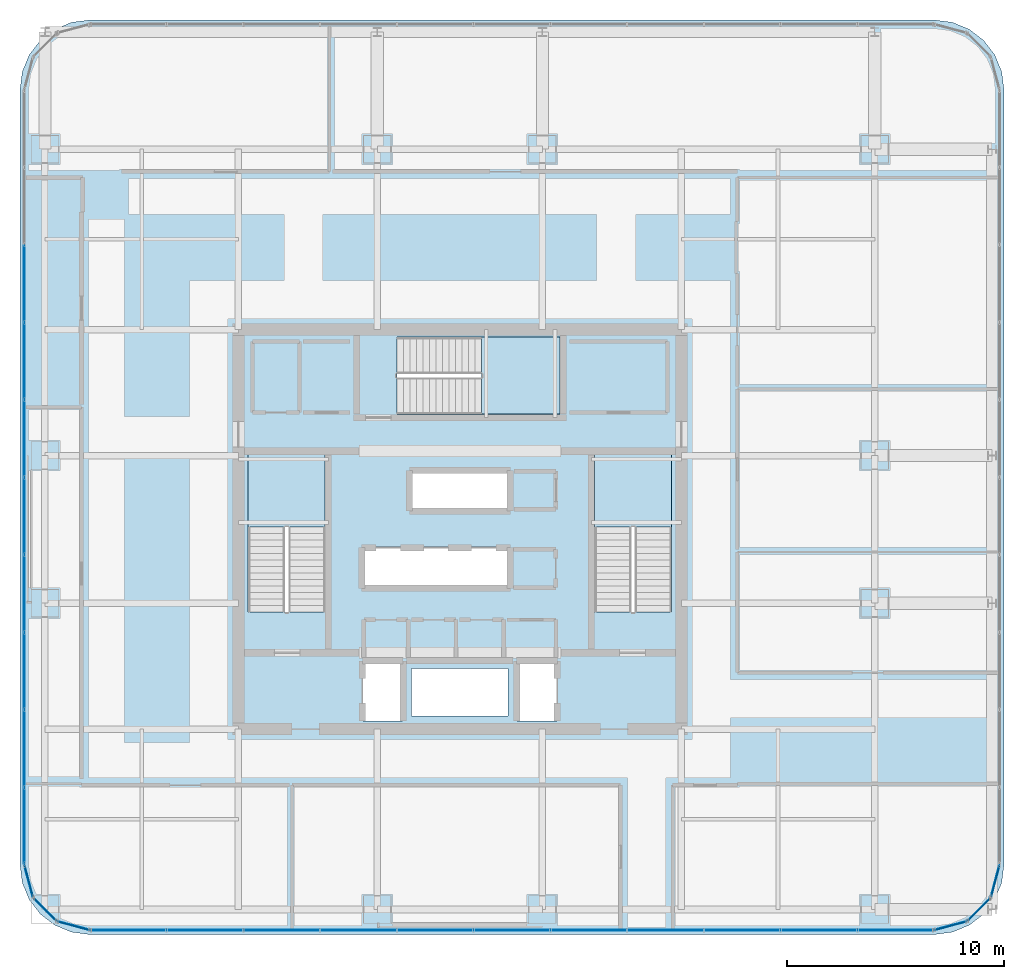
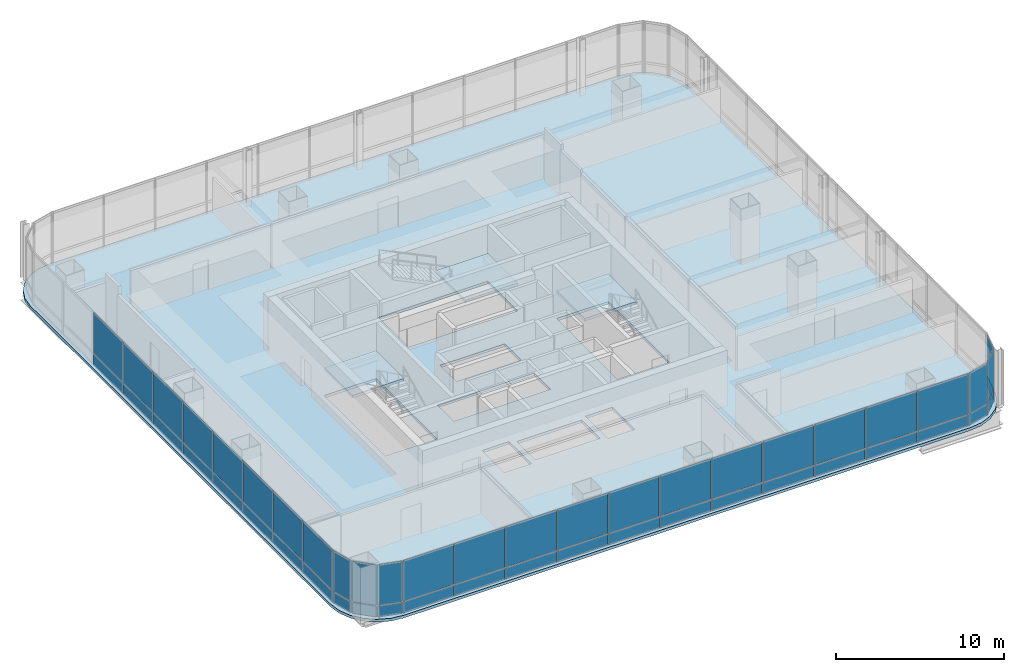
# One storey, part 31 of 42: 50 plates, 4 slabs, 11 elements without a shape of their own.
"""IFC4 building model written with IfcOpenShell, lengths in metres."""

from ifc_helpers import new_model, si_unit, direction, frame, origin, origin_2d, place, context, subcontext, project, spatial, polyline, rectangle, outline, extrude, material, layer, layer_set, type_object, element, aggregate, save


model = new_model("IFC4")

# Units and contexts
model_context = context("Model", 3, precision=1e-05, world=origin(), true_north=direction((0.0, 1.0)))
body_context = subcontext(model_context, "Body", "Model", "MODEL_VIEW")
ifc_project = project(units=[si_unit("LENGTHUNIT", "METRE"), si_unit("AREAUNIT", "SQUARE_METRE"), si_unit("VOLUMEUNIT", "CUBIC_METRE"), si_unit("PLANEANGLEUNIT", "RADIAN"), si_unit("MASSUNIT", "GRAM", prefix="KILO")], contexts=[model_context])

# Site, building, storey
site_placement = place(None, origin())
site = spatial("IfcSite", under=ifc_project, at=site_placement, CompositionType="ELEMENT")
building_placement = place(site_placement, origin())
building = spatial("IfcBuilding", under=site, at=building_placement, Name="Punatoya Terracotta Tower", CompositionType="ELEMENT")
storey_placement = place(building_placement, frame((0.0, 0.0, 255.449951171875)))
storey = spatial("IfcBuildingStorey", under=building, at=storey_placement, Name="L60", CompositionType="ELEMENT", Elevation=255.449951171875)

# Curtain wall, plates
ifc_material_1 = material(Name="Aluminium 6063-T6 + Double Low-E Glass", Category="aluminium")
curtain_wall_type = type_object("IfcCurtainWallType", Name="CW-M3", PredefinedType="NOTDEFINED", material=ifc_material_1)
curtain_wall_1_placement = place(storey_placement, origin())
curtain_wall_1 = element("IfcCurtainWall", 1, at=curtain_wall_1_placement, inside=storey, type_object=curtain_wall_type, Name="L60 Curtain Wall CW-L60-S01-1", PredefinedType="NOTDEFINED")
ifc_material_2 = material(Name="Double Low-E Acoustic Vision Glass", Category="glass")
ifc_layer_1 = layer(ifc_material_2, 0.031982421875)
ifc_layer_set_1 = layer_set([ifc_layer_1], Name="Double Low-E Acoustic Vision Glass")
plate_type_1 = type_object("IfcPlateType", Name="PLT-GLZ-32", PredefinedType="CURTAIN_PANEL", material=ifc_layer_set_1)
plate_1_placement = place(storey_placement, frame((-15.27001953125, -18.449951171875, 0.89013671875), z_axis=(0.0, 0.0, 1.0), x_axis=(1.0, 0.0, 0.0)))
plate_1 = element("IfcPlate", 2, at=plate_1_placement, type_object=plate_type_1, Name="CW-L60-S01-1 Vision Glass Panel 1", PredefinedType="CURTAIN_PANEL", context=body_context, shape_type="SweptSolid", body=[
    extrude(rectangle(XDim=3.448974609375, YDim=0.031982421875, at=origin_2d()), origin(), (0.0, 0.0, 1.0), 2.919921875),
])
plate_2_placement = place(storey_placement, frame((-11.73583984375, -18.449951171875, 0.89013671875), z_axis=(0.0, 0.0, 1.0), x_axis=(1.0, 0.0, 0.0)))
plate_2 = element("IfcPlate", 3, at=plate_2_placement, type_object=plate_type_1, Name="CW-L60-S01-1 Vision Glass Panel 2", PredefinedType="CURTAIN_PANEL", context=body_context, shape_type="SweptSolid", body=[
    extrude(rectangle(XDim=3.448974609375, YDim=0.031982421875, at=origin_2d()), origin(), (0.0, 0.0, 1.0), 2.919921875),
])
plate_3_placement = place(storey_placement, frame((-8.201904296875, -18.449951171875, 0.89013671875), z_axis=(0.0, 0.0, 1.0), x_axis=(1.0, 0.0, 0.0)))
plate_3 = element("IfcPlate", 4, at=plate_3_placement, type_object=plate_type_1, Name="CW-L60-S01-1 Vision Glass Panel 3", PredefinedType="CURTAIN_PANEL", context=body_context, shape_type="SweptSolid", body=[
    extrude(rectangle(XDim=3.448974609375, YDim=0.031982421875, at=origin_2d()), origin(), (0.0, 0.0, 1.0), 2.919921875),
])
plate_4_placement = place(storey_placement, frame((-4.66796875, -18.449951171875, 0.89013671875), z_axis=(0.0, 0.0, 1.0), x_axis=(1.0, 0.0, 0.0)))
plate_4 = element("IfcPlate", 5, at=plate_4_placement, type_object=plate_type_1, Name="CW-L60-S01-1 Vision Glass Panel 4", PredefinedType="CURTAIN_PANEL", context=body_context, shape_type="SweptSolid", body=[
    extrude(rectangle(XDim=3.448974609375, YDim=0.031982421875, at=origin_2d()), origin(), (0.0, 0.0, 1.0), 2.919921875),
])
plate_5_placement = place(storey_placement, frame((-1.134033203125, -18.449951171875, 0.89013671875), z_axis=(0.0, 0.0, 1.0), x_axis=(1.0, 0.0, 0.0)))
plate_5 = element("IfcPlate", 6, at=plate_5_placement, type_object=plate_type_1, Name="CW-L60-S01-1 Vision Glass Panel 5", PredefinedType="CURTAIN_PANEL", context=body_context, shape_type="SweptSolid", body=[
    extrude(rectangle(XDim=3.448974609375, YDim=0.031982421875, at=origin_2d()), origin(), (0.0, 0.0, 1.0), 2.919921875),
])
plate_6_placement = place(storey_placement, frame((2.39990234375, -18.449951171875, 0.89013671875), z_axis=(0.0, 0.0, 1.0), x_axis=(1.0, 0.0, 0.0)))
plate_6 = element("IfcPlate", 7, at=plate_6_placement, type_object=plate_type_1, Name="CW-L60-S01-1 Vision Glass Panel 6", PredefinedType="CURTAIN_PANEL", context=body_context, shape_type="SweptSolid", body=[
    extrude(rectangle(XDim=3.448974609375, YDim=0.031982421875, at=origin_2d()), origin(), (0.0, 0.0, 1.0), 2.919921875),
])
plate_7_placement = place(storey_placement, frame((5.93408203125, -18.449951171875, 0.89013671875), z_axis=(0.0, 0.0, 1.0), x_axis=(1.0, 0.0, 0.0)))
plate_7 = element("IfcPlate", 8, at=plate_7_placement, type_object=plate_type_1, Name="CW-L60-S01-1 Vision Glass Panel 7", PredefinedType="CURTAIN_PANEL", context=body_context, shape_type="SweptSolid", body=[
    extrude(rectangle(XDim=3.448974609375, YDim=0.031982421875, at=origin_2d()), origin(), (0.0, 0.0, 1.0), 2.919921875),
])
plate_8_placement = place(storey_placement, frame((9.468017578125, -18.449951171875, 0.89013671875), z_axis=(0.0, 0.0, 1.0), x_axis=(1.0, 0.0, 0.0)))
plate_8 = element("IfcPlate", 9, at=plate_8_placement, type_object=plate_type_1, Name="CW-L60-S01-1 Vision Glass Panel 8", PredefinedType="CURTAIN_PANEL", context=body_context, shape_type="SweptSolid", body=[
    extrude(rectangle(XDim=3.448974609375, YDim=0.031982421875, at=origin_2d()), origin(), (0.0, 0.0, 1.0), 2.919921875),
])
plate_9_placement = place(storey_placement, frame((13.001953125, -18.449951171875, 0.89013671875), z_axis=(0.0, 0.0, 1.0), x_axis=(1.0, 0.0, 0.0)))
plate_9 = element("IfcPlate", 10, at=plate_9_placement, type_object=plate_type_1, Name="CW-L60-S01-1 Vision Glass Panel 9", PredefinedType="CURTAIN_PANEL", context=body_context, shape_type="SweptSolid", body=[
    extrude(rectangle(XDim=3.448974609375, YDim=0.031982421875, at=origin_2d()), origin(), (0.0, 0.0, 1.0), 2.919921875),
])
plate_10_placement = place(storey_placement, frame((16.535888671875, -18.449951171875, 0.89013671875), z_axis=(0.0, 0.0, 1.0), x_axis=(1.0, 0.0, 0.0)))
plate_10 = element("IfcPlate", 11, at=plate_10_placement, type_object=plate_type_1, Name="CW-L60-S01-1 Vision Glass Panel 10", PredefinedType="CURTAIN_PANEL", context=body_context, shape_type="SweptSolid", body=[
    extrude(rectangle(XDim=3.448974609375, YDim=0.031982421875, at=origin_2d()), origin(), (0.0, 0.0, 1.0), 2.919921875),
])
plate_11_placement = place(storey_placement, frame((20.06982421875, -18.449951171875, 0.89013671875), z_axis=(0.0, 0.0, 1.0), x_axis=(1.0, 0.0, 0.0)))
plate_11 = element("IfcPlate", 12, at=plate_11_placement, type_object=plate_type_1, Name="CW-L60-S01-1 Vision Glass Panel 11", PredefinedType="CURTAIN_PANEL", context=body_context, shape_type="SweptSolid", body=[
    extrude(rectangle(XDim=3.448974609375, YDim=0.031982421875, at=origin_2d()), origin(), (0.0, 0.0, 1.0), 2.919921875),
])

# Curtain wall, plate
curtain_wall_2_placement = place(storey_placement, origin())
curtain_wall_2 = element("IfcCurtainWall", 13, at=curtain_wall_2_placement, inside=storey, type_object=curtain_wall_type, Name="L60 Curtain Wall CW-L60-CRN02", PredefinedType="NOTDEFINED")
plate_12_placement = place(storey_placement, frame((22.593017578125, -18.248291015625, 0.89013671875), z_axis=(0.0, 0.0, 1.0), x_axis=(0.966213877436, 0.257741620719, 0.0)))
plate_12 = element("IfcPlate", 14, at=plate_12_placement, type_object=plate_type_1, Name="CW-L60-CRN02 Vision Glass Panel 1", PredefinedType="CURTAIN_PANEL", context=body_context, shape_type="SweptSolid", body=[
    extrude(rectangle(XDim=1.47998046875, YDim=0.031982421875, at=origin_2d()), origin(), (0.0, 0.0, 1.0), 2.919921875),
])

curtain_wall_3_placement = place(storey_placement, origin())
curtain_wall_3 = element("IfcCurtainWall", 15, at=curtain_wall_3_placement, inside=storey, type_object=curtain_wall_type, Name="L60 Curtain Wall CW-L60-CRN03", PredefinedType="NOTDEFINED")
plate_13_placement = place(storey_placement, frame((23.89794921875, -17.497802734375, 0.89013671875), z_axis=(0.0, 0.0, 1.0), x_axis=(0.707106781187, 0.707106781187, 0.0)))
plate_13 = element("IfcPlate", 16, at=plate_13_placement, type_object=plate_type_1, Name="CW-L60-CRN03 Vision Glass Panel 1", PredefinedType="CURTAIN_PANEL", context=body_context, shape_type="SweptSolid", body=[
    extrude(rectangle(XDim=1.467041015625, YDim=0.031982421875, at=origin_2d()), origin(), (0.0, 0.0, 1.0), 2.919921875),
])

curtain_wall_4_placement = place(storey_placement, origin())
curtain_wall_4 = element("IfcCurtainWall", 17, at=curtain_wall_4_placement, inside=storey, type_object=curtain_wall_type, Name="L60 Curtain Wall CW-L60-CRN04", PredefinedType="NOTDEFINED")
plate_14_placement = place(storey_placement, frame((24.648193359375, -16.193115234375, 0.89013671875), z_axis=(0.0, 0.0, 1.0), x_axis=(0.257741620719, 0.966213877436, 0.0)))
plate_14 = element("IfcPlate", 18, at=plate_14_placement, type_object=plate_type_1, Name="CW-L60-CRN04 Vision Glass Panel 1", PredefinedType="CURTAIN_PANEL", context=body_context, shape_type="SweptSolid", body=[
    extrude(rectangle(XDim=1.47998046875, YDim=0.031982421875, at=origin_2d()), origin(), (0.0, 0.0, 1.0), 2.919921875),
])

# Curtain wall, plates
curtain_wall_5_placement = place(storey_placement, origin())
curtain_wall_5 = element("IfcCurtainWall", 19, at=curtain_wall_5_placement, inside=storey, type_object=curtain_wall_type, Name="L60 Curtain Wall CW-L60-W13-1", PredefinedType="NOTDEFINED")
plate_15_placement = place(storey_placement, frame((-20.050048828125, 11.318359375, 0.89013671875), z_axis=(0.0, 0.0, 1.0), x_axis=(0.0, -1.0, 0.0)))
plate_15 = element("IfcPlate", 20, at=plate_15_placement, type_object=plate_type_1, Name="CW-L60-W13-1 Vision Glass Panel 3", PredefinedType="CURTAIN_PANEL", context=body_context, shape_type="SweptSolid", body=[
    extrude(rectangle(XDim=3.482421875, YDim=0.031982421875, at=origin_2d()), origin(), (0.0, 0.0, 1.0), 2.919921875),
])
plate_16_placement = place(storey_placement, frame((-20.050048828125, 7.751220703125, 0.89013671875), z_axis=(0.0, 0.0, 1.0), x_axis=(0.0, -1.0, 0.0)))
plate_16 = element("IfcPlate", 21, at=plate_16_placement, type_object=plate_type_1, Name="CW-L60-W13-1 Vision Glass Panel 4", PredefinedType="CURTAIN_PANEL", context=body_context, shape_type="SweptSolid", body=[
    extrude(rectangle(XDim=3.482421875, YDim=0.031982421875, at=origin_2d()), origin(), (0.0, 0.0, 1.0), 2.919921875),
])
plate_17_placement = place(storey_placement, frame((-20.050048828125, 4.18359375, 0.89013671875), z_axis=(0.0, 0.0, 1.0), x_axis=(0.0, -1.0, 0.0)))
plate_17 = element("IfcPlate", 22, at=plate_17_placement, type_object=plate_type_1, Name="CW-L60-W13-1 Vision Glass Panel 5", PredefinedType="CURTAIN_PANEL", context=body_context, shape_type="SweptSolid", body=[
    extrude(rectangle(XDim=3.482421875, YDim=0.031982421875, at=origin_2d()), origin(), (0.0, 0.0, 1.0), 2.919921875),
])
plate_18_placement = place(storey_placement, frame((-20.050048828125, 0.6162109375, 0.89013671875), z_axis=(0.0, 0.0, 1.0), x_axis=(0.0, -1.0, 0.0)))
plate_18 = element("IfcPlate", 23, at=plate_18_placement, type_object=plate_type_1, Name="CW-L60-W13-1 Vision Glass Panel 6", PredefinedType="CURTAIN_PANEL", context=body_context, shape_type="SweptSolid", body=[
    extrude(rectangle(XDim=3.482421875, YDim=0.031982421875, at=origin_2d()), origin(), (0.0, 0.0, 1.0), 2.919921875),
])
plate_19_placement = place(storey_placement, frame((-20.050048828125, -2.951171875, 0.89013671875), z_axis=(0.0, 0.0, 1.0), x_axis=(0.0, -1.0, 0.0)))
plate_19 = element("IfcPlate", 24, at=plate_19_placement, type_object=plate_type_1, Name="CW-L60-W13-1 Vision Glass Panel 7", PredefinedType="CURTAIN_PANEL", context=body_context, shape_type="SweptSolid", body=[
    extrude(rectangle(XDim=3.482421875, YDim=0.031982421875, at=origin_2d()), origin(), (0.0, 0.0, 1.0), 2.919921875),
])
plate_20_placement = place(storey_placement, frame((-20.050048828125, -6.518310546875, 0.89013671875), z_axis=(0.0, 0.0, 1.0), x_axis=(0.0, -1.0, 0.0)))
plate_20 = element("IfcPlate", 25, at=plate_20_placement, type_object=plate_type_1, Name="CW-L60-W13-1 Vision Glass Panel 8", PredefinedType="CURTAIN_PANEL", context=body_context, shape_type="SweptSolid", body=[
    extrude(rectangle(XDim=3.482421875, YDim=0.031982421875, at=origin_2d()), origin(), (0.0, 0.0, 1.0), 2.919921875),
])
plate_21_placement = place(storey_placement, frame((-20.050048828125, -10.085693359375, 0.89013671875), z_axis=(0.0, 0.0, 1.0), x_axis=(0.0, -1.0, 0.0)))
plate_21 = element("IfcPlate", 26, at=plate_21_placement, type_object=plate_type_1, Name="CW-L60-W13-1 Vision Glass Panel 9", PredefinedType="CURTAIN_PANEL", context=body_context, shape_type="SweptSolid", body=[
    extrude(rectangle(XDim=3.482421875, YDim=0.031982421875, at=origin_2d()), origin(), (0.0, 0.0, 1.0), 2.919921875),
])
plate_22_placement = place(storey_placement, frame((-20.050048828125, -13.6533203125, 0.89013671875), z_axis=(0.0, 0.0, 1.0), x_axis=(0.0, -1.0, 0.0)))
plate_22 = element("IfcPlate", 27, at=plate_22_placement, type_object=plate_type_1, Name="CW-L60-W13-1 Vision Glass Panel 10", PredefinedType="CURTAIN_PANEL", context=body_context, shape_type="SweptSolid", body=[
    extrude(rectangle(XDim=3.482421875, YDim=0.031982421875, at=origin_2d()), origin(), (0.0, 0.0, 1.0), 2.919921875),
])

# Curtain wall, plate
curtain_wall_6_placement = place(storey_placement, origin())
curtain_wall_6 = element("IfcCurtainWall", 28, at=curtain_wall_6_placement, inside=storey, type_object=curtain_wall_type, Name="L60 Curtain Wall CW-L60-CRN14", PredefinedType="NOTDEFINED")
plate_23_placement = place(storey_placement, frame((-19.848388671875, -16.193115234375, 0.89013671875), z_axis=(0.0, 0.0, 1.0), x_axis=(0.257741620719, -0.966213877436, 0.0)))
plate_23 = element("IfcPlate", 29, at=plate_23_placement, type_object=plate_type_1, Name="CW-L60-CRN14 Vision Glass Panel 1", PredefinedType="CURTAIN_PANEL", context=body_context, shape_type="SweptSolid", body=[
    extrude(rectangle(XDim=1.47998046875, YDim=0.031982421875, at=origin_2d()), origin(), (0.0, 0.0, 1.0), 2.919921875),
])

curtain_wall_7_placement = place(storey_placement, origin())
curtain_wall_7 = element("IfcCurtainWall", 30, at=curtain_wall_7_placement, inside=storey, type_object=curtain_wall_type, Name="L60 Curtain Wall CW-L60-CRN15", PredefinedType="NOTDEFINED")
plate_24_placement = place(storey_placement, frame((-19.097900390625, -17.497802734375, 0.89013671875), z_axis=(0.0, 0.0, 1.0), x_axis=(0.707106781187, -0.707106781187, 0.0)))
plate_24 = element("IfcPlate", 31, at=plate_24_placement, type_object=plate_type_1, Name="CW-L60-CRN15 Vision Glass Panel 1", PredefinedType="CURTAIN_PANEL", context=body_context, shape_type="SweptSolid", body=[
    extrude(rectangle(XDim=1.467041015625, YDim=0.031982421875, at=origin_2d()), origin(), (0.0, 0.0, 1.0), 2.919921875),
])

curtain_wall_8_placement = place(storey_placement, origin())
curtain_wall_8 = element("IfcCurtainWall", 32, at=curtain_wall_8_placement, inside=storey, type_object=curtain_wall_type, Name="L60 Curtain Wall CW-L60-CRN16", PredefinedType="NOTDEFINED")
plate_25_placement = place(storey_placement, frame((-17.79296875, -18.248291015625, 0.89013671875), z_axis=(0.0, 0.0, 1.0), x_axis=(0.966213877436, -0.257741620719, 0.0)))
plate_25 = element("IfcPlate", 33, at=plate_25_placement, type_object=plate_type_1, Name="CW-L60-CRN16 Vision Glass Panel 1", PredefinedType="CURTAIN_PANEL", context=body_context, shape_type="SweptSolid", body=[
    extrude(rectangle(XDim=1.47998046875, YDim=0.031982421875, at=origin_2d()), origin(), (0.0, 0.0, 1.0), 2.919921875),
])

# Plate
ifc_material_3 = material(Name="Insulated Terracotta-Backed Spandrel Panel", Category="masonry")
ifc_layer_2 = layer(ifc_material_3, 0.044921875)
ifc_layer_set_2 = layer_set([ifc_layer_2], Name="Insulated Terracotta-Backed Spandrel Panel")
plate_type_2 = type_object("IfcPlateType", Name="PLT-SPN-45", PredefinedType="CURTAIN_PANEL", material=ifc_layer_set_2)
plate_26_placement = place(storey_placement, frame((-15.27001953125, -18.449951171875, 0.0400390625), z_axis=(0.0, 0.0, 1.0), x_axis=(1.0, 0.0, 0.0)))
plate_26 = element("IfcPlate", 34, at=plate_26_placement, type_object=plate_type_2, Name="CW-L60-S01-1 Terracotta Spandrel Panel 1", PredefinedType="CURTAIN_PANEL", context=body_context, shape_type="SweptSolid", body=[
    extrude(rectangle(XDim=3.448974609375, YDim=0.044921875, at=origin_2d()), origin(), (0.0, 0.0, 1.0), 0.77490234375),
])

plate_27_placement = place(storey_placement, frame((-11.73583984375, -18.449951171875, 0.0400390625), z_axis=(0.0, 0.0, 1.0), x_axis=(1.0, 0.0, 0.0)))
plate_27 = element("IfcPlate", 35, at=plate_27_placement, type_object=plate_type_2, Name="CW-L60-S01-1 Terracotta Spandrel Panel 2", PredefinedType="CURTAIN_PANEL", context=body_context, shape_type="SweptSolid", body=[
    extrude(rectangle(XDim=3.448974609375, YDim=0.044921875, at=origin_2d()), origin(), (0.0, 0.0, 1.0), 0.77490234375),
])

plate_28_placement = place(storey_placement, frame((-8.201904296875, -18.449951171875, 0.0400390625), z_axis=(0.0, 0.0, 1.0), x_axis=(1.0, 0.0, 0.0)))
plate_28 = element("IfcPlate", 36, at=plate_28_placement, type_object=plate_type_2, Name="CW-L60-S01-1 Terracotta Spandrel Panel 3", PredefinedType="CURTAIN_PANEL", context=body_context, shape_type="SweptSolid", body=[
    extrude(rectangle(XDim=3.448974609375, YDim=0.044921875, at=origin_2d()), origin(), (0.0, 0.0, 1.0), 0.77490234375),
])

plate_29_placement = place(storey_placement, frame((-4.66796875, -18.449951171875, 0.0400390625), z_axis=(0.0, 0.0, 1.0), x_axis=(1.0, 0.0, 0.0)))
plate_29 = element("IfcPlate", 37, at=plate_29_placement, type_object=plate_type_2, Name="CW-L60-S01-1 Terracotta Spandrel Panel 4", PredefinedType="CURTAIN_PANEL", context=body_context, shape_type="SweptSolid", body=[
    extrude(rectangle(XDim=3.448974609375, YDim=0.044921875, at=origin_2d()), origin(), (0.0, 0.0, 1.0), 0.77490234375),
])

plate_30_placement = place(storey_placement, frame((-1.134033203125, -18.449951171875, 0.0400390625), z_axis=(0.0, 0.0, 1.0), x_axis=(1.0, 0.0, 0.0)))
plate_30 = element("IfcPlate", 38, at=plate_30_placement, type_object=plate_type_2, Name="CW-L60-S01-1 Terracotta Spandrel Panel 5", PredefinedType="CURTAIN_PANEL", context=body_context, shape_type="SweptSolid", body=[
    extrude(rectangle(XDim=3.448974609375, YDim=0.044921875, at=origin_2d()), origin(), (0.0, 0.0, 1.0), 0.77490234375),
])

plate_31_placement = place(storey_placement, frame((2.39990234375, -18.449951171875, 0.0400390625), z_axis=(0.0, 0.0, 1.0), x_axis=(1.0, 0.0, 0.0)))
plate_31 = element("IfcPlate", 39, at=plate_31_placement, type_object=plate_type_2, Name="CW-L60-S01-1 Terracotta Spandrel Panel 6", PredefinedType="CURTAIN_PANEL", context=body_context, shape_type="SweptSolid", body=[
    extrude(rectangle(XDim=3.448974609375, YDim=0.044921875, at=origin_2d()), origin(), (0.0, 0.0, 1.0), 0.77490234375),
])

plate_32_placement = place(storey_placement, frame((5.93408203125, -18.449951171875, 0.0400390625), z_axis=(0.0, 0.0, 1.0), x_axis=(1.0, 0.0, 0.0)))
plate_32 = element("IfcPlate", 40, at=plate_32_placement, type_object=plate_type_2, Name="CW-L60-S01-1 Terracotta Spandrel Panel 7", PredefinedType="CURTAIN_PANEL", context=body_context, shape_type="SweptSolid", body=[
    extrude(rectangle(XDim=3.448974609375, YDim=0.044921875, at=origin_2d()), origin(), (0.0, 0.0, 1.0), 0.77490234375),
])

plate_33_placement = place(storey_placement, frame((9.468017578125, -18.449951171875, 0.0400390625), z_axis=(0.0, 0.0, 1.0), x_axis=(1.0, 0.0, 0.0)))
plate_33 = element("IfcPlate", 41, at=plate_33_placement, type_object=plate_type_2, Name="CW-L60-S01-1 Terracotta Spandrel Panel 8", PredefinedType="CURTAIN_PANEL", context=body_context, shape_type="SweptSolid", body=[
    extrude(rectangle(XDim=3.448974609375, YDim=0.044921875, at=origin_2d()), origin(), (0.0, 0.0, 1.0), 0.77490234375),
])

plate_34_placement = place(storey_placement, frame((13.001953125, -18.449951171875, 0.0400390625), z_axis=(0.0, 0.0, 1.0), x_axis=(1.0, 0.0, 0.0)))
plate_34 = element("IfcPlate", 42, at=plate_34_placement, type_object=plate_type_2, Name="CW-L60-S01-1 Terracotta Spandrel Panel 9", PredefinedType="CURTAIN_PANEL", context=body_context, shape_type="SweptSolid", body=[
    extrude(rectangle(XDim=3.448974609375, YDim=0.044921875, at=origin_2d()), origin(), (0.0, 0.0, 1.0), 0.77490234375),
])

plate_35_placement = place(storey_placement, frame((16.535888671875, -18.449951171875, 0.0400390625), z_axis=(0.0, 0.0, 1.0), x_axis=(1.0, 0.0, 0.0)))
plate_35 = element("IfcPlate", 43, at=plate_35_placement, type_object=plate_type_2, Name="CW-L60-S01-1 Terracotta Spandrel Panel 10", PredefinedType="CURTAIN_PANEL", context=body_context, shape_type="SweptSolid", body=[
    extrude(rectangle(XDim=3.448974609375, YDim=0.044921875, at=origin_2d()), origin(), (0.0, 0.0, 1.0), 0.77490234375),
])

plate_36_placement = place(storey_placement, frame((20.06982421875, -18.449951171875, 0.0400390625), z_axis=(0.0, 0.0, 1.0), x_axis=(1.0, 0.0, 0.0)))
plate_36 = element("IfcPlate", 44, at=plate_36_placement, type_object=plate_type_2, Name="CW-L60-S01-1 Terracotta Spandrel Panel 11", PredefinedType="CURTAIN_PANEL", context=body_context, shape_type="SweptSolid", body=[
    extrude(rectangle(XDim=3.448974609375, YDim=0.044921875, at=origin_2d()), origin(), (0.0, 0.0, 1.0), 0.77490234375),
])

aggregate(curtain_wall_1, [plate_26, plate_1, plate_27, plate_2, plate_28, plate_3, plate_29, plate_4, plate_30, plate_5, plate_31, plate_6, plate_32, plate_7, plate_33, plate_8, plate_34, plate_9, plate_35, plate_10, plate_36, plate_11])

plate_37_placement = place(storey_placement, frame((22.593017578125, -18.248291015625, 0.0400390625), z_axis=(0.0, 0.0, 1.0), x_axis=(0.966213877436, 0.257741620719, 0.0)))
plate_37 = element("IfcPlate", 45, at=plate_37_placement, type_object=plate_type_2, Name="CW-L60-CRN02 Terracotta Spandrel Panel 1", PredefinedType="CURTAIN_PANEL", context=body_context, shape_type="SweptSolid", body=[
    extrude(rectangle(XDim=1.47998046875, YDim=0.044921875, at=origin_2d()), origin(), (0.0, 0.0, 1.0), 0.77490234375),
])

aggregate(curtain_wall_2, [plate_37, plate_12])

plate_38_placement = place(storey_placement, frame((23.89794921875, -17.497802734375, 0.0400390625), z_axis=(0.0, 0.0, 1.0), x_axis=(0.707106781187, 0.707106781187, 0.0)))
plate_38 = element("IfcPlate", 46, at=plate_38_placement, type_object=plate_type_2, Name="CW-L60-CRN03 Terracotta Spandrel Panel 1", PredefinedType="CURTAIN_PANEL", context=body_context, shape_type="SweptSolid", body=[
    extrude(rectangle(XDim=1.467041015625, YDim=0.044921875, at=origin_2d()), origin(), (0.0, 0.0, 1.0), 0.77490234375),
])

aggregate(curtain_wall_3, [plate_38, plate_13])

plate_39_placement = place(storey_placement, frame((24.648193359375, -16.193115234375, 0.0400390625), z_axis=(0.0, 0.0, 1.0), x_axis=(0.257741620719, 0.966213877436, 0.0)))
plate_39 = element("IfcPlate", 47, at=plate_39_placement, type_object=plate_type_2, Name="CW-L60-CRN04 Terracotta Spandrel Panel 1", PredefinedType="CURTAIN_PANEL", context=body_context, shape_type="SweptSolid", body=[
    extrude(rectangle(XDim=1.47998046875, YDim=0.044921875, at=origin_2d()), origin(), (0.0, 0.0, 1.0), 0.77490234375),
])

aggregate(curtain_wall_4, [plate_39, plate_14])

plate_40_placement = place(storey_placement, frame((-20.050048828125, 11.318359375, 0.0400390625), z_axis=(0.0, 0.0, 1.0), x_axis=(0.0, -1.0, 0.0)))
plate_40 = element("IfcPlate", 48, at=plate_40_placement, type_object=plate_type_2, Name="CW-L60-W13-1 Terracotta Spandrel Panel 3", PredefinedType="CURTAIN_PANEL", context=body_context, shape_type="SweptSolid", body=[
    extrude(rectangle(XDim=3.482421875, YDim=0.044921875, at=origin_2d()), origin(), (0.0, 0.0, 1.0), 0.77490234375),
])

plate_41_placement = place(storey_placement, frame((-20.050048828125, 7.751220703125, 0.0400390625), z_axis=(0.0, 0.0, 1.0), x_axis=(0.0, -1.0, 0.0)))
plate_41 = element("IfcPlate", 49, at=plate_41_placement, type_object=plate_type_2, Name="CW-L60-W13-1 Terracotta Spandrel Panel 4", PredefinedType="CURTAIN_PANEL", context=body_context, shape_type="SweptSolid", body=[
    extrude(rectangle(XDim=3.482421875, YDim=0.044921875, at=origin_2d()), origin(), (0.0, 0.0, 1.0), 0.77490234375),
])

plate_42_placement = place(storey_placement, frame((-20.050048828125, 4.18359375, 0.0400390625), z_axis=(0.0, 0.0, 1.0), x_axis=(0.0, -1.0, 0.0)))
plate_42 = element("IfcPlate", 50, at=plate_42_placement, type_object=plate_type_2, Name="CW-L60-W13-1 Terracotta Spandrel Panel 5", PredefinedType="CURTAIN_PANEL", context=body_context, shape_type="SweptSolid", body=[
    extrude(rectangle(XDim=3.482421875, YDim=0.044921875, at=origin_2d()), origin(), (0.0, 0.0, 1.0), 0.77490234375),
])

plate_43_placement = place(storey_placement, frame((-20.050048828125, 0.6162109375, 0.0400390625), z_axis=(0.0, 0.0, 1.0), x_axis=(0.0, -1.0, 0.0)))
plate_43 = element("IfcPlate", 51, at=plate_43_placement, type_object=plate_type_2, Name="CW-L60-W13-1 Terracotta Spandrel Panel 6", PredefinedType="CURTAIN_PANEL", context=body_context, shape_type="SweptSolid", body=[
    extrude(rectangle(XDim=3.482421875, YDim=0.044921875, at=origin_2d()), origin(), (0.0, 0.0, 1.0), 0.77490234375),
])

plate_44_placement = place(storey_placement, frame((-20.050048828125, -2.951171875, 0.0400390625), z_axis=(0.0, 0.0, 1.0), x_axis=(0.0, -1.0, 0.0)))
plate_44 = element("IfcPlate", 52, at=plate_44_placement, type_object=plate_type_2, Name="CW-L60-W13-1 Terracotta Spandrel Panel 7", PredefinedType="CURTAIN_PANEL", context=body_context, shape_type="SweptSolid", body=[
    extrude(rectangle(XDim=3.482421875, YDim=0.044921875, at=origin_2d()), origin(), (0.0, 0.0, 1.0), 0.77490234375),
])

plate_45_placement = place(storey_placement, frame((-20.050048828125, -6.518310546875, 0.0400390625), z_axis=(0.0, 0.0, 1.0), x_axis=(0.0, -1.0, 0.0)))
plate_45 = element("IfcPlate", 53, at=plate_45_placement, type_object=plate_type_2, Name="CW-L60-W13-1 Terracotta Spandrel Panel 8", PredefinedType="CURTAIN_PANEL", context=body_context, shape_type="SweptSolid", body=[
    extrude(rectangle(XDim=3.482421875, YDim=0.044921875, at=origin_2d()), origin(), (0.0, 0.0, 1.0), 0.77490234375),
])

plate_46_placement = place(storey_placement, frame((-20.050048828125, -10.085693359375, 0.0400390625), z_axis=(0.0, 0.0, 1.0), x_axis=(0.0, -1.0, 0.0)))
plate_46 = element("IfcPlate", 54, at=plate_46_placement, type_object=plate_type_2, Name="CW-L60-W13-1 Terracotta Spandrel Panel 9", PredefinedType="CURTAIN_PANEL", context=body_context, shape_type="SweptSolid", body=[
    extrude(rectangle(XDim=3.482421875, YDim=0.044921875, at=origin_2d()), origin(), (0.0, 0.0, 1.0), 0.77490234375),
])

plate_47_placement = place(storey_placement, frame((-20.050048828125, -13.6533203125, 0.0400390625), z_axis=(0.0, 0.0, 1.0), x_axis=(0.0, -1.0, 0.0)))
plate_47 = element("IfcPlate", 55, at=plate_47_placement, type_object=plate_type_2, Name="CW-L60-W13-1 Terracotta Spandrel Panel 10", PredefinedType="CURTAIN_PANEL", context=body_context, shape_type="SweptSolid", body=[
    extrude(rectangle(XDim=3.482421875, YDim=0.044921875, at=origin_2d()), origin(), (0.0, 0.0, 1.0), 0.77490234375),
])

aggregate(curtain_wall_5, [plate_40, plate_15, plate_41, plate_16, plate_42, plate_17, plate_43, plate_18, plate_44, plate_19, plate_45, plate_20, plate_46, plate_21, plate_47, plate_22])

plate_48_placement = place(storey_placement, frame((-19.848388671875, -16.193115234375, 0.0400390625), z_axis=(0.0, 0.0, 1.0), x_axis=(0.257741620719, -0.966213877436, 0.0)))
plate_48 = element("IfcPlate", 56, at=plate_48_placement, type_object=plate_type_2, Name="CW-L60-CRN14 Terracotta Spandrel Panel 1", PredefinedType="CURTAIN_PANEL", context=body_context, shape_type="SweptSolid", body=[
    extrude(rectangle(XDim=1.47998046875, YDim=0.044921875, at=origin_2d()), origin(), (0.0, 0.0, 1.0), 0.77490234375),
])

aggregate(curtain_wall_6, [plate_48, plate_23])

plate_49_placement = place(storey_placement, frame((-19.097900390625, -17.497802734375, 0.0400390625), z_axis=(0.0, 0.0, 1.0), x_axis=(0.707106781187, -0.707106781187, 0.0)))
plate_49 = element("IfcPlate", 57, at=plate_49_placement, type_object=plate_type_2, Name="CW-L60-CRN15 Terracotta Spandrel Panel 1", PredefinedType="CURTAIN_PANEL", context=body_context, shape_type="SweptSolid", body=[
    extrude(rectangle(XDim=1.467041015625, YDim=0.044921875, at=origin_2d()), origin(), (0.0, 0.0, 1.0), 0.77490234375),
])

aggregate(curtain_wall_7, [plate_49, plate_24])

plate_50_placement = place(storey_placement, frame((-17.79296875, -18.248291015625, 0.0400390625), z_axis=(0.0, 0.0, 1.0), x_axis=(0.966213877436, -0.257741620719, 0.0)))
plate_50 = element("IfcPlate", 58, at=plate_50_placement, type_object=plate_type_2, Name="CW-L60-CRN16 Terracotta Spandrel Panel 1", PredefinedType="CURTAIN_PANEL", context=body_context, shape_type="SweptSolid", body=[
    extrude(rectangle(XDim=1.47998046875, YDim=0.044921875, at=origin_2d()), origin(), (0.0, 0.0, 1.0), 0.77490234375),
])

aggregate(curtain_wall_8, [plate_50, plate_25])

# Stair, slab
ifc_material_4 = material(Name="Concrete C40/50", Category="concrete")
stair_type_1 = type_object("IfcStairType", Name="STR-TER-1450", PredefinedType="HALF_TURN_STAIR", material=ifc_material_4)
stair_1_placement = place(storey_placement, origin())
stair_1 = element("IfcStair", 59, at=stair_1_placement, inside=storey, type_object=stair_type_1, Name="L60 Protected Core Exit Stair ST-3", PredefinedType="HALF_TURN_STAIR")
ifc_layer_3 = layer(ifc_material_4, 0.1650390625)
ifc_layer_set_3 = layer_set([ifc_layer_3], Name="Concrete C40/50")
slab_type_1 = type_object("IfcSlabType", Name="SLB-LND-165", PredefinedType="LANDING", material=ifc_layer_set_3)
slab_1_placement = place(storey_placement, frame((0.0, 0.0, 1.824951171875)))
slab_1 = element("IfcSlab", 60, at=slab_1_placement, type_object=slab_type_1, Name="ST-3 landing 1", PredefinedType="LANDING", context=body_context, shape_type="SweptSolid", body=[
    extrude(outline(polyline([(1.0, 5.300048828125), (4.60009765625, 5.300048828125), (4.60009765625, 8.85009765625), (1.0, 8.85009765625), (1.0, 5.300048828125)])), origin(), (0.0, 0.0, 1.0), 0.2001953125),
])
aggregate(stair_1, [slab_1])

stair_type_2 = type_object("IfcStairType", Name="STR-CORE-1550", PredefinedType="HALF_TURN_STAIR", material=ifc_material_4)
stair_2_placement = place(storey_placement, origin())
stair_2 = element("IfcStair", 61, at=stair_2_placement, inside=storey, type_object=stair_type_2, Name="L60 Protected Core Exit Stair ST-1", PredefinedType="HALF_TURN_STAIR")
ifc_layer_4 = layer(ifc_material_4, 0.179931640625)
ifc_layer_set_4 = layer_set([ifc_layer_4], Name="Concrete C40/50")
slab_type_2 = type_object("IfcSlabType", Name="SLB-LND-180", PredefinedType="LANDING", material=ifc_layer_set_4)
slab_2_placement = place(storey_placement, frame((0.0, 0.0, 1.824951171875)))
slab_2 = element("IfcSlab", 62, at=slab_2_placement, type_object=slab_type_2, Name="ST-1 landing 1", PredefinedType="LANDING", context=body_context, shape_type="SweptSolid", body=[
    extrude(outline(polyline([(-6.199951171875, 0.10009765625), (-6.199951171875, 3.449951171875), (-9.75, 3.449951171875), (-9.75, 0.10009765625), (-6.199951171875, 0.10009765625)])), origin(), (0.0, 0.0, 1.0), 0.2001953125),
])
aggregate(stair_2, [slab_2])

stair_type_3 = type_object("IfcStairType", Name="STR-LOB-1650", PredefinedType="HALF_TURN_STAIR", material=ifc_material_4)
stair_3_placement = place(storey_placement, origin())
stair_3 = element("IfcStair", 63, at=stair_3_placement, inside=storey, type_object=stair_type_3, Name="L60 Protected Core Exit Stair ST-2", PredefinedType="HALF_TURN_STAIR")
slab_3_placement = place(storey_placement, frame((0.0, 0.0, 1.824951171875)))
slab_3 = element("IfcSlab", 64, at=slab_3_placement, type_object=slab_type_2, Name="ST-2 landing 1", PredefinedType="LANDING", context=body_context, shape_type="SweptSolid", body=[
    extrude(outline(polyline([(9.75, 0.10009765625), (9.75, 3.449951171875), (6.199951171875, 3.449951171875), (6.199951171875, 0.10009765625), (9.75, 0.10009765625)])), origin(), (0.0, 0.0, 1.0), 0.2001953125),
])
aggregate(stair_3, [slab_3])

# Slab
ifc_layer_5 = layer(ifc_material_4, 0.199951171875)
ifc_layer_set_5 = layer_set([ifc_layer_5], Name="Concrete C40/50")
slab_type_3 = type_object("IfcSlabType", Name="SLB-OFF-200", PredefinedType="FLOOR", material=ifc_layer_set_5)
slab_4_placement = place(storey_placement, frame((0.0, 0.0, -0.199951171875)))
element("IfcSlab", 65, at=slab_4_placement, inside=storey, type_object=slab_type_3, Name="L60 Structural Floor Slab", PredefinedType="FLOOR", context=body_context, shape_type="SweptSolid", body=[
    extrude(outline(polyline([(-17.050048828125, -18.64990234375), (-17.878173828125, -18.541015625), (-18.64990234375, -18.22119140625), (-19.312744140625, -17.712646484375), (-19.8212890625, -17.050048828125), (-20.14111328125, -16.2783203125), (-20.25, -15.449951171875), (-20.25, 20.25), (-20.14111328125, 21.078125), (-19.8212890625, 21.85009765625), (-19.312744140625, 22.5126953125), (-18.64990234375, 23.021240234375), (-17.878173828125, 23.341064453125), (-17.050048828125, 23.449951171875), (21.85009765625, 23.449951171875), (22.67822265625, 23.341064453125), (23.449951171875, 23.021240234375), (24.11279296875, 22.5126953125), (24.621337890625, 21.85009765625), (24.94091796875, 21.078125), (25.050048828125, 20.25), (25.050048828125, -15.449951171875), (24.94091796875, -16.2783203125), (24.621337890625, -17.050048828125), (24.11279296875, -17.712646484375), (23.449951171875, -18.22119140625), (22.67822265625, -18.541015625), (21.85009765625, -18.64990234375), (-17.050048828125, -18.64990234375)]), holes=[polyline([(-2.6298828125, -6.179931640625), (-4.469970703125, -6.179931640625), (-4.469970703125, -8.820068359375), (-2.6298828125, -8.820068359375), (-2.6298828125, -6.179931640625)]), polyline([(0.02001953125, -8.594970703125), (2.219970703125, -8.594970703125), (2.219970703125, -6.405029296875), (0.02001953125, -6.405029296875), (-0.02001953125, -6.405029296875), (-2.219970703125, -6.405029296875), (-2.219970703125, -8.594970703125), (-0.02001953125, -8.594970703125), (0.02001953125, -8.594970703125)]), polyline([(-2.219970703125, -2.719970703125), (-2.179931640625, -2.719970703125), (-0.02001953125, -2.719970703125), (0.02001953125, -2.719970703125), (2.219970703125, -2.719970703125), (2.219970703125, -0.780029296875), (0.02001953125, -0.780029296875), (-0.02001953125, -0.780029296875), (-2.179931640625, -0.780029296875), (-2.219970703125, -0.780029296875), (-4.419921875, -0.780029296875), (-4.419921875, -2.719970703125), (-2.219970703125, -2.719970703125)]), polyline([(-6.199951171875, 3.449951171875), (-9.75, 3.449951171875), (-9.75, -3.79931640625), (-6.199951171875, -3.79931640625), (-6.199951171875, 3.449951171875)]), polyline([(0.02001953125, 0.780029296875), (2.219970703125, 0.780029296875), (2.219970703125, 2.719970703125), (0.02001953125, 2.719970703125), (-0.02001953125, 2.719970703125), (-2.219970703125, 2.719970703125), (-2.219970703125, 0.780029296875), (-0.02001953125, 0.780029296875), (0.02001953125, 0.780029296875)]), polyline([(4.469970703125, -8.820068359375), (4.469970703125, -6.179931640625), (2.6298828125, -6.179931640625), (2.6298828125, -8.820068359375), (4.469970703125, -8.820068359375)]), polyline([(6.199951171875, 3.449951171875), (6.199951171875, -3.79931640625), (9.75, -3.79931640625), (9.75, 3.449951171875), (6.199951171875, 3.449951171875)]), polyline([(4.60009765625, 5.300048828125), (4.60009765625, 8.85009765625), (-2.899169921875, 8.85009765625), (-2.899169921875, 5.300048828125), (4.60009765625, 5.300048828125)])]), origin(), (0.0, 0.0, 1.0), 0.199951171875),
])

save(model, "model.ifc")
